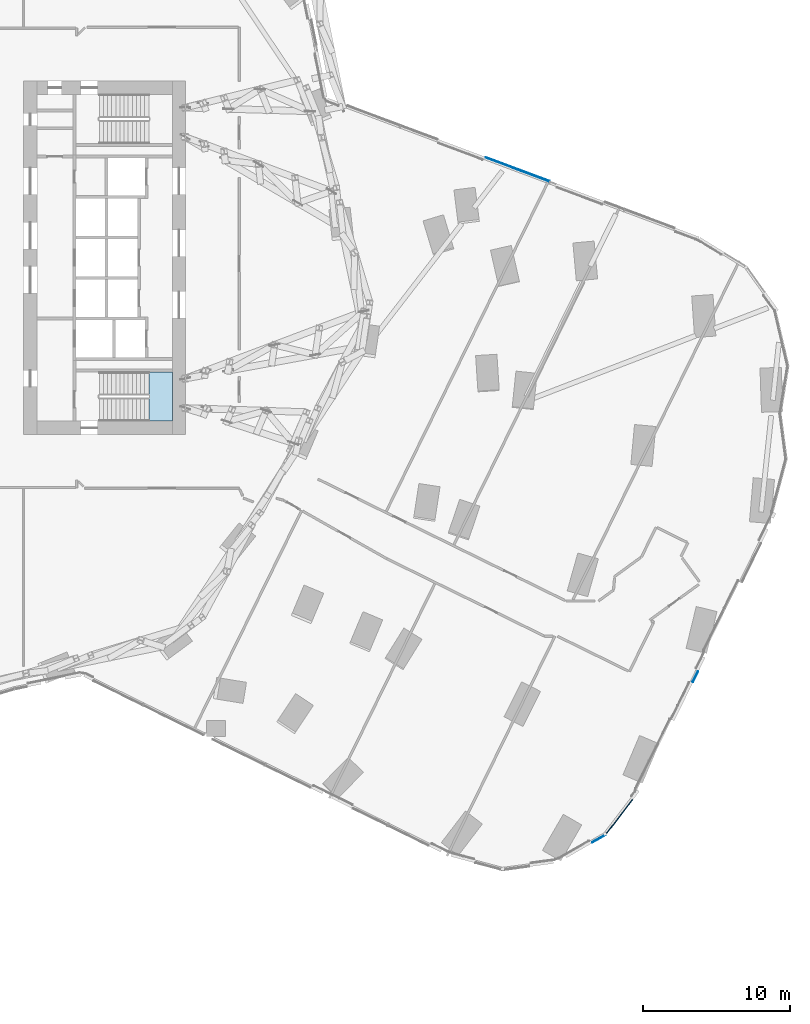
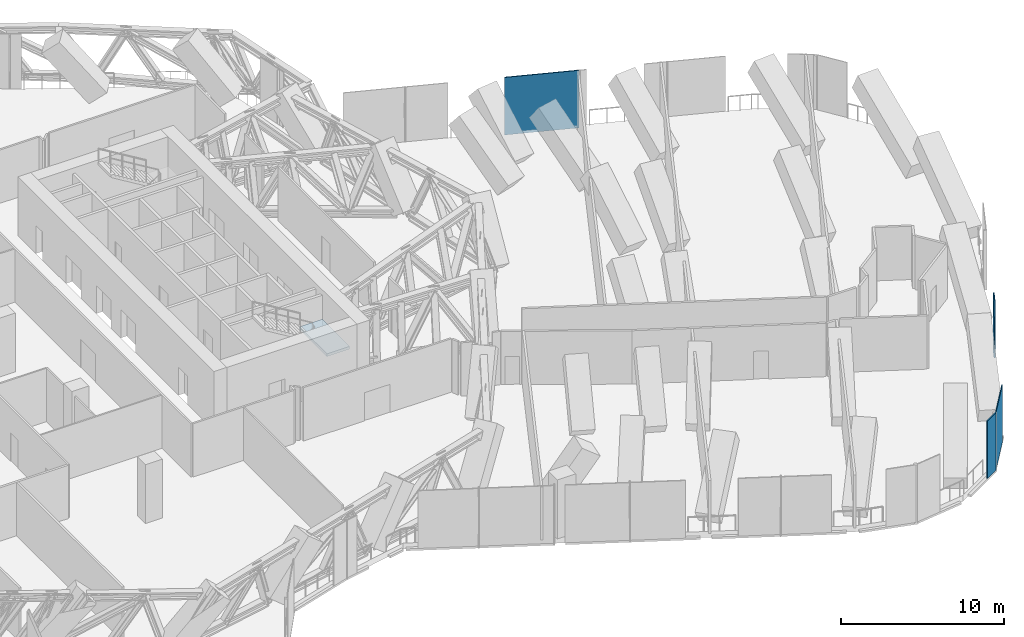
# One storey, part 20 of 34: 4 plates, 1 slab, 5 elements without a shape of their own.
"""IFC4 building model written with IfcOpenShell, lengths in metres."""

from ifc_helpers import new_model, si_unit, direction, frame, origin, origin_2d, place, context, subcontext, project, spatial, polyline, rectangle, outline, extrude, material, layer, layer_set, type_object, element, aggregate, save


model = new_model("IFC4")

# Units and contexts
model_context = context("Model", 3, precision=1e-05, world=origin(), true_north=direction((0.0, 1.0)))
body_context = subcontext(model_context, "Body", "Model", "MODEL_VIEW")
ifc_project = project(units=[si_unit("LENGTHUNIT", "METRE"), si_unit("AREAUNIT", "SQUARE_METRE"), si_unit("VOLUMEUNIT", "CUBIC_METRE"), si_unit("PLANEANGLEUNIT", "RADIAN"), si_unit("MASSUNIT", "GRAM", prefix="KILO")], contexts=[model_context])

# Site, building, storey
site_placement = place(None, origin())
site = spatial("IfcSite", under=ifc_project, at=site_placement, CompositionType="ELEMENT")
building_placement = place(site_placement, origin())
building = spatial("IfcBuilding", under=site, at=building_placement, Name="Orlundy Tower", CompositionType="ELEMENT")
storey_placement = place(building_placement, frame((0.0, 0.0, 76.300048828125)))
storey = spatial("IfcBuildingStorey", under=building, at=storey_placement, Name="L18", CompositionType="ELEMENT", Elevation=76.300048828125)

# Curtain wall, plate
ifc_material_1 = material(Name="Aluminium bronze anodised", Category="aluminium")
curtain_wall_type = type_object("IfcCurtainWallType", Name="CW4 wall", PredefinedType="NOTDEFINED", material=ifc_material_1)
curtain_wall_1_placement = place(storey_placement, origin())
curtain_wall_1 = element("IfcCurtainWall", 1, at=curtain_wall_1_placement, inside=storey, type_object=curtain_wall_type, Name="CW4 run 015", PredefinedType="NOTDEFINED")
ifc_material_2 = material(Name="Louvre aluminium bronze anodised", Category="aluminium")
ifc_layer_1 = layer(ifc_material_2, 0.06005859375)
ifc_layer_set_1 = layer_set([ifc_layer_1], Name="CW4 louvre panel 60")
plate_type = type_object("IfcPlateType", Name="CW4 louvre panel 60", PredefinedType="CURTAIN_PANEL", material=ifc_layer_set_1)
plate_1_placement = place(storey_placement, frame((41.549072265625, 5.998779296875, -0.30029296875), z_axis=(0.0, 0.0, 1.0), x_axis=(0.936678943544, -0.350189315544, 0.0)))
plate_1 = element("IfcPlate", 2, at=plate_1_placement, type_object=plate_type, Name="CW4 louvre", PredefinedType="CURTAIN_PANEL", context=body_context, shape_type="SweptSolid", body=[
    extrude(rectangle(XDim=4.6220703125, YDim=0.06005859375, at=origin_2d()), origin(), (0.0, 0.0, 1.0), 4.300048828125),
])
aggregate(curtain_wall_1, [plate_1])

curtain_wall_2_placement = place(storey_placement, origin())
curtain_wall_2 = element("IfcCurtainWall", 3, at=curtain_wall_2_placement, inside=storey, type_object=curtain_wall_type, Name="CW4 run 022", PredefinedType="NOTDEFINED")
plate_2_placement = place(storey_placement, frame((53.62109375, -28.445556640625, -0.30029296875), z_axis=(0.0, 0.0, 1.0), x_axis=(-0.441012235503, -0.897501090883, 0.0)))
plate_2 = element("IfcPlate", 4, at=plate_2_placement, type_object=plate_type, Name="CW4 louvre", PredefinedType="CURTAIN_PANEL", context=body_context, shape_type="SweptSolid", body=[
    extrude(rectangle(XDim=0.793212890625, YDim=0.06005859375, at=origin_2d()), origin(), (0.0, 0.0, 1.0), 4.300048828125),
])
aggregate(curtain_wall_2, [plate_2])

curtain_wall_3_placement = place(storey_placement, origin())
curtain_wall_3 = element("IfcCurtainWall", 5, at=curtain_wall_3_placement, inside=storey, type_object=curtain_wall_type, Name="CW4 run 023", PredefinedType="NOTDEFINED")
plate_3_placement = place(storey_placement, frame((48.44287109375, -37.985595703125, -0.30029296875), z_axis=(0.0, 0.0, 1.0), x_axis=(-0.607570269729, -0.794265929863, 0.0)))
plate_3 = element("IfcPlate", 6, at=plate_3_placement, type_object=plate_type, Name="CW4 louvre", PredefinedType="CURTAIN_PANEL", context=body_context, shape_type="SweptSolid", body=[
    extrude(rectangle(XDim=3.000244140625, YDim=0.06005859375, at=origin_2d()), origin(), (0.0, 0.0, 1.0), 4.300048828125),
])
aggregate(curtain_wall_3, [plate_3])

curtain_wall_4_placement = place(storey_placement, origin())
curtain_wall_4 = element("IfcCurtainWall", 7, at=curtain_wall_4_placement, inside=storey, type_object=curtain_wall_type, Name="CW4 run 024", PredefinedType="NOTDEFINED")
plate_4_placement = place(storey_placement, frame((47.073486328125, -39.442626953125, -0.30029296875), z_axis=(0.0, 0.0, 1.0), x_axis=(-0.865272308879, -0.501302135928, 0.0)))
plate_4 = element("IfcPlate", 8, at=plate_4_placement, type_object=plate_type, Name="CW4 louvre", PredefinedType="CURTAIN_PANEL", context=body_context, shape_type="SweptSolid", body=[
    extrude(rectangle(XDim=1.058837890625, YDim=0.06005859375, at=origin_2d()), origin(), (0.0, 0.0, 1.0), 4.300048828125),
])
aggregate(curtain_wall_4, [plate_4])

# Stair, slab
ifc_material_3 = material(Name="Concrete C50/60", Category="concrete")
stair_type = type_object("IfcStairType", Name="Exit Stair 26 risers", PredefinedType="HALF_TURN_STAIR", material=ifc_material_3)
stair_placement = place(storey_placement, origin())
stair = element("IfcStair", 9, at=stair_placement, inside=storey, type_object=stair_type, Name="L18 Exit Stair ST-E1", PredefinedType="HALF_TURN_STAIR")
ifc_material_4 = material(Name="Concrete C50/60", Category="concrete")
ifc_layer_2 = layer(ifc_material_4, 0.199951171875)
ifc_layer_set_2 = layer_set([ifc_layer_2], Name="Exit Stair Landing")
slab_type = type_object("IfcSlabType", Name="Exit Stair Landing", PredefinedType="LANDING", material=ifc_layer_set_2)
slab_placement = place(storey_placement, frame((0.0, 0.0, 2.0)))
slab = element("IfcSlab", 10, at=slab_placement, type_object=slab_type, Name="ST-E1 landing 1", PredefinedType="LANDING", context=body_context, shape_type="SweptSolid", body=[
    extrude(outline(polyline([(16.5, -11.10009765625), (18.10009765625, -11.10009765625), (18.10009765625, -7.75), (16.5, -7.75), (16.5, -11.10009765625)])), origin(), (0.0, 0.0, 1.0), 0.199951171875),
])
aggregate(stair, [slab])

save(model, "model.ifc")
